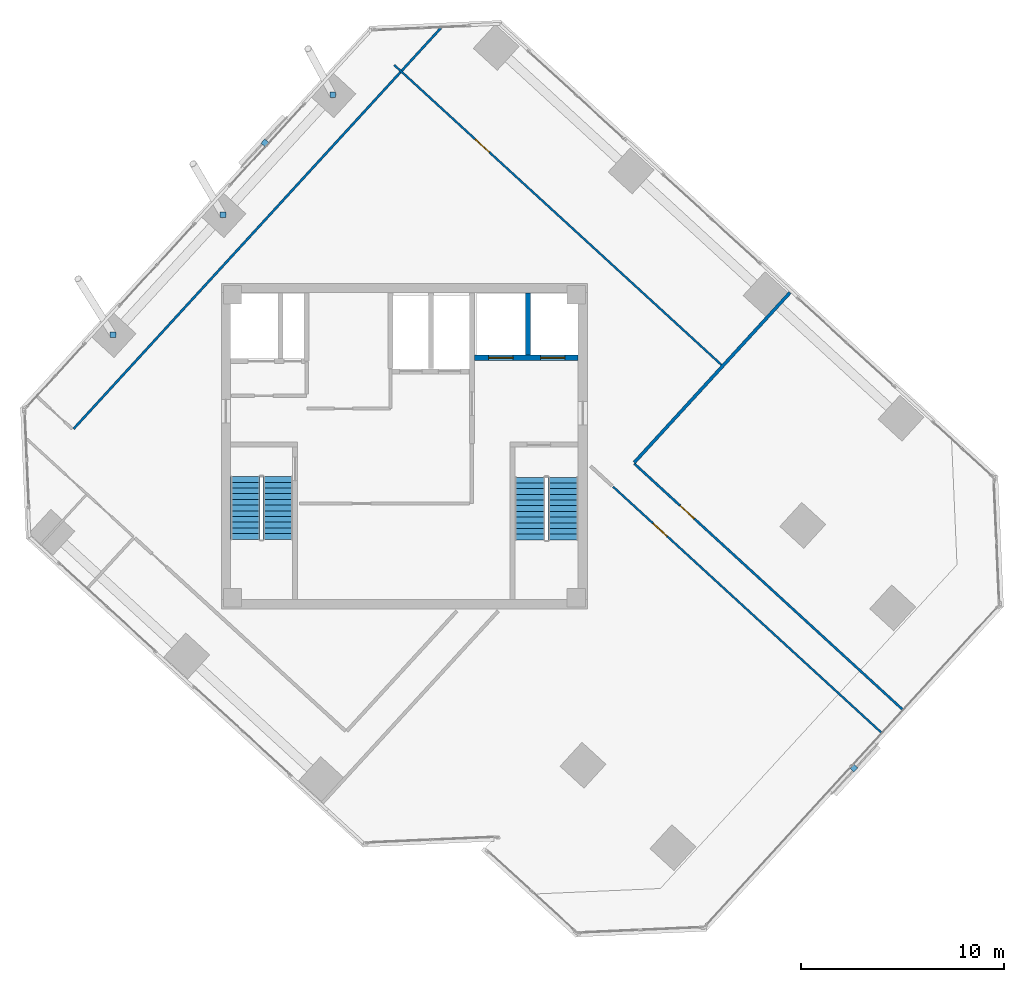
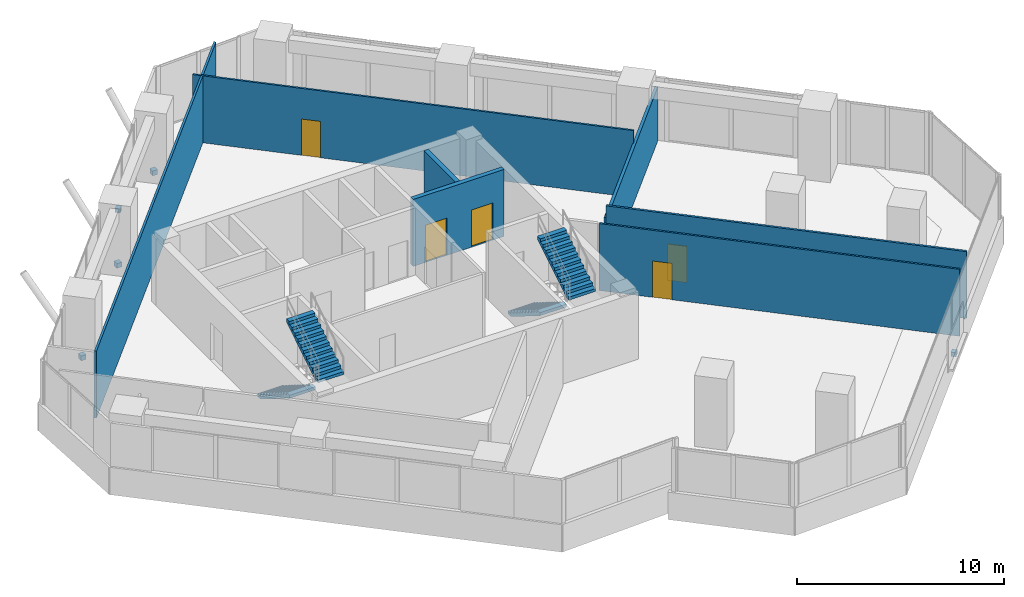
# One storey, part 14 of 18: 7 walls, 5 discrete accessories, 5 doors, 4 stair flights, 5 openings, 2 elements without a shape of their own.
"""IFC4 building model written with IfcOpenShell, lengths in metres."""

from ifc_helpers import new_model, si_unit, direction, frame, frame_2d, origin, origin_2d, place, context, subcontext, project, spatial, polyline, rectangle, outline, extrude, source, transform, mapped, material, layer, layer_set, type_object, element, fill, aggregate, save


model = new_model("IFC4")

# Units and contexts
model_context = context("Model", 3, precision=1e-05, world=origin(), true_north=direction((0.0, 1.0)))
body_context = subcontext(model_context, "Body", "Model", "MODEL_VIEW")
ifc_project = project(units=[si_unit("LENGTHUNIT", "METRE"), si_unit("AREAUNIT", "SQUARE_METRE"), si_unit("VOLUMEUNIT", "CUBIC_METRE"), si_unit("PLANEANGLEUNIT", "RADIAN"), si_unit("MASSUNIT", "GRAM", prefix="KILO")], contexts=[model_context])

# Site, building, storey
site_placement = place(None, origin())
site = spatial("IfcSite", under=ifc_project, at=site_placement, CompositionType="ELEMENT")
building_placement = place(site_placement, origin())
building = spatial("IfcBuilding", under=site, at=building_placement, Name="Torre Montelarca", CompositionType="ELEMENT")
storey_placement = place(building_placement, frame((0.0, 0.0, 237.39990234375)))
storey = spatial("IfcBuildingStorey", under=building, at=storey_placement, Name="L53", CompositionType="ELEMENT", Elevation=237.39990234375)

# Wall, openings, doors
ifc_material_1 = material(Name="Concrete C40/50", Category="concrete")
ifc_layer_1 = layer(ifc_material_1, 0.25, Name="Concrete C40/50", Category="concrete")
ifc_layer_set_1 = layer_set([ifc_layer_1], Name="Concrete C40/50")
wall_type_1 = type_object("IfcWallType", Name="CW-SHAFT-250", PredefinedType="SHEAR", material=ifc_layer_set_1)
wall_1_placement = place(storey_placement, frame((21.449951171875, 36.35009765625, 0.0), z_axis=(0.0, 0.0, 1.0), x_axis=(1.0, 0.0, 0.0)))
wall_1 = element("IfcWall", 1, at=wall_1_placement, inside=storey, type_object=wall_type_1, Name="L53 Core Shear Wall SH-FF-S", PredefinedType="SHEAR", context=body_context, shape_type="SweptSolid", body=[
    extrude(rectangle(XDim=5.090087890625, YDim=0.25, at=frame_2d((2.544921875, 0.0))), origin(), (0.0, 0.0, 1.0), 3.960205078125),
])
opening_1_placement = place(wall_1_placement, frame((0.699951171875, 0.0, 0.0)))
opening_1 = element("IfcOpeningElement", 2, at=opening_1_placement, cuts=wall_1, Name="Opening LD-120", PredefinedType="OPENING", context=body_context, shape_type="SweptSolid", body=[
    extrude(rectangle(XDim=1.199951171875, YDim=2.199951171875, at=frame_2d((0.60009765625, 1.10009765625))), frame((0.0, 0.135009765625, 0.0), z_axis=(0.0, -1.0, 0.0), x_axis=(1.0, 0.0, 0.0)), (0.0, 0.0, 1.0), 0.27001953125),
])
opening_2_placement = place(wall_1_placement, frame((3.25, 0.0, 0.0)))
opening_2 = element("IfcOpeningElement", 3, at=opening_2_placement, cuts=wall_1, Name="Opening LD-120", PredefinedType="OPENING", context=body_context, shape_type="SweptSolid", body=[
    extrude(rectangle(XDim=1.199951171875, YDim=2.199951171875, at=frame_2d((0.60009765625, 1.10009765625))), frame((0.0, 0.135009765625, 0.0), z_axis=(0.0, -1.0, 0.0), x_axis=(1.0, 0.0, 0.0)), (0.0, 0.0, 1.0), 0.27001953125),
])
ifc_material_2 = material(Name="Brushed stainless steel AISI 316", Category="steel")
door_type_1 = type_object("IfcDoorType", Name="DR-LIFT-120", OperationType="SLIDING_TO_RIGHT", PredefinedType="DOOR", material=ifc_material_2)
shared_shape_1 = source(origin(), body_context, "Body", "SweptSolid", [
    extrude(rectangle(XDim=1.199951171875, YDim=2.199951171875, at=frame_2d((0.60009765625, 1.10009765625))), frame((0.0, 0.02490234375, 0.0), z_axis=(0.0, -1.0, 0.0), x_axis=(1.0, 0.0, 0.0)), (0.0, 0.0, 1.0), 0.050048828125),
])
door_1_placement = place(opening_1_placement, origin())
door_1 = element("IfcDoor", 4, at=door_1_placement, inside=storey, type_object=door_type_1, Name="L53 Lift Landing Sliding Door FF-1", OperationType="SLIDING_TO_LEFT", OverallHeight=2.199951171875, OverallWidth=1.199951171875, PredefinedType="DOOR", context=body_context, shape_type="MappedRepresentation", body=[
    mapped(shared_shape_1, transform((0.0, 0.0, 0.0), scale=1.0)),
])
fill(opening_1, door_1)
door_2_placement = place(opening_2_placement, origin())
door_2 = element("IfcDoor", 5, at=door_2_placement, inside=storey, type_object=door_type_1, Name="L53 Lift Landing Sliding Door FF-2", OperationType="SLIDING_TO_RIGHT", OverallHeight=2.199951171875, OverallWidth=1.199951171875, PredefinedType="DOOR", context=body_context, shape_type="MappedRepresentation", body=[
    mapped(shared_shape_1, transform((0.0, 0.0, 0.0), scale=1.0)),
])
fill(opening_2, door_2)

# Walls
wall_2_placement = place(storey_placement, frame((24.080078125, 36.47998046875, 0.0), z_axis=(0.0, 0.0, 1.0), x_axis=(0.0, 1.0, 0.0)))
element("IfcWall", 6, at=wall_2_placement, inside=storey, type_object=wall_type_1, Name="L53 Core Shear Wall SH-FF-M", PredefinedType="SHEAR", context=body_context, shape_type="SweptSolid", body=[
    extrude(rectangle(XDim=3.06005859375, YDim=0.25, at=frame_2d((1.530029296875, 0.0))), origin(), (0.0, 0.0, 1.0), 3.960205078125),
])
ifc_material_3 = material(Name="Gypsum plasterboard on steel stud", Category="steel")
ifc_layer_2 = layer(ifc_material_3, 0.159912109375, Name="Gypsum plasterboard on steel stud", Category="steel")
ifc_layer_set_2 = layer_set([ifc_layer_2], Name="Gypsum plasterboard on steel stud")
wall_type_2 = type_object("IfcWallType", Name="PW-FIRE-160", PredefinedType="PARTITIONING", material=ifc_layer_set_2)
wall_3_placement = place(storey_placement, frame((29.306640625, 31.194091796875, 0.0), z_axis=(0.0, 0.0, 1.0), x_axis=(0.67558228032, 0.73728460076, 0.0)))
element("IfcWall", 7, at=wall_3_placement, inside=storey, type_object=wall_type_2, Name="L53 Interior Partition W-L53-ECN", PredefinedType="PARTITIONING", context=body_context, shape_type="SweptSolid", body=[
    extrude(rectangle(XDim=11.340087890625, YDim=0.159912109375, at=frame_2d((5.669921875, 0.0))), origin(), (0.0, 0.0, 1.0), 3.195068359375),
])

# Wall, opening, door
ifc_material_4 = material(Name="Acoustic laminated glass partition", Category="glass")
ifc_layer_3 = layer(ifc_material_4, 0.10009765625, Name="Acoustic laminated glass partition", Category="glass")
ifc_layer_set_3 = layer_set([ifc_layer_3], Name="Acoustic laminated glass partition")
wall_type_3 = type_object("IfcWallType", Name="PW-GLAZ-100", PredefinedType="PARTITIONING", material=ifc_layer_set_3)
wall_4_placement = place(storey_placement, frame((17.503662109375, 50.744384765625, 0.0), z_axis=(0.0, 0.0, 1.0), x_axis=(0.737277850523, -0.675589646996, 0.0)))
wall_4 = element("IfcWall", 8, at=wall_4_placement, inside=storey, type_object=wall_type_3, Name="L53 Interior Partition W-L53-NBOT", PredefinedType="PARTITIONING", context=body_context, shape_type="SweptSolid", body=[
    extrude(rectangle(XDim=21.8701171875, YDim=0.10009765625, at=frame_2d((10.93505859375, 0.0))), origin(), (0.0, 0.0, 1.0), 3.960205078125),
])
opening_3_placement = place(wall_4_placement, frame((5.39990234375, 0.0, 0.0)))
opening_3 = element("IfcOpeningElement", 9, at=opening_3_placement, cuts=wall_4, Name="Opening ID-095", PredefinedType="OPENING", context=body_context, shape_type="SweptSolid", body=[
    extrude(rectangle(XDim=0.949951171875, YDim=2.14990234375, at=frame_2d((0.47509765625, 1.074951171875))), frame((0.0, 0.06005859375, 0.0), z_axis=(0.0, -1.0, 0.0), x_axis=(1.0, 0.0, 0.0)), (0.0, 0.0, 1.0), 0.1201171875),
])
ifc_material_5 = material(Name="Hardwood acoustic timber veneer", Category="wood")
door_type_2 = type_object("IfcDoorType", Name="DR-INT-095", OperationType="NOTDEFINED", PredefinedType="DOOR", material=ifc_material_5)
shared_shape_2 = source(origin(), body_context, "Body", "SweptSolid", [
    extrude(rectangle(XDim=0.949951171875, YDim=2.14990234375, at=frame_2d((0.47509765625, 1.074951171875))), frame((0.0, 0.02490234375, 0.0), z_axis=(0.0, -1.0, 0.0), x_axis=(1.0, 0.0, 0.0)), (0.0, 0.0, 1.0), 0.050048828125),
])
door_3_placement = place(opening_3_placement, origin())
door_3 = element("IfcDoor", 10, at=door_3_placement, inside=storey, type_object=door_type_2, Name="L53 Interior Door 07", OperationType="SINGLE_SWING_LEFT", OverallHeight=2.14990234375, OverallWidth=0.949951171875, PredefinedType="DOOR", context=body_context, shape_type="MappedRepresentation", body=[
    mapped(shared_shape_2, transform((0.0, 0.0, 0.0), scale=1.0)),
])
fill(opening_3, door_3)

wall_5_placement = place(storey_placement, frame((28.268798828125, 30.002197265625, 0.0), z_axis=(0.0, 0.0, 1.0), x_axis=(0.737272587758, -0.67559539026, 0.0)))
wall_5 = element("IfcWall", 11, at=wall_5_placement, inside=storey, type_object=wall_type_3, Name="L53 Interior Partition W-L53-SE-N", PredefinedType="PARTITIONING", context=body_context, shape_type="SweptSolid", body=[
    extrude(rectangle(XDim=17.8798828125, YDim=0.10009765625, at=frame_2d((8.93994140625, 0.0))), origin(), (0.0, 0.0, 1.0), 3.960205078125),
])
opening_4_placement = place(wall_5_placement, frame((2.64990234375, 0.0, 0.0)))
opening_4 = element("IfcOpeningElement", 12, at=opening_4_placement, cuts=wall_5, Name="Opening ID-095", PredefinedType="OPENING", context=body_context, shape_type="SweptSolid", body=[
    extrude(rectangle(XDim=0.949951171875, YDim=2.14990234375, at=frame_2d((0.47509765625, 1.074951171875))), frame((0.0, 0.06005859375, 0.0), z_axis=(0.0, -1.0, 0.0), x_axis=(1.0, 0.0, 0.0)), (0.0, 0.0, 1.0), 0.1201171875),
])
door_4_placement = place(opening_4_placement, origin())
door_4 = element("IfcDoor", 13, at=door_4_placement, inside=storey, type_object=door_type_2, Name="L53 Interior Door 10", OperationType="SINGLE_SWING_LEFT", OverallHeight=2.14990234375, OverallWidth=0.949951171875, PredefinedType="DOOR", context=body_context, shape_type="MappedRepresentation", body=[
    mapped(shared_shape_2, transform((0.0, 0.0, 0.0), scale=1.0)),
])
fill(opening_4, door_4)

# Wall
ifc_layer_4 = layer(ifc_material_3, 0.114990234375, Name="Gypsum plasterboard on steel stud", Category="steel")
ifc_layer_set_4 = layer_set([ifc_layer_4], Name="Gypsum plasterboard on steel stud")
wall_type_4 = type_object("IfcWallType", Name="PW-PART-115", PredefinedType="PARTITIONING", material=ifc_layer_set_4)
wall_6_placement = place(storey_placement, frame((1.72998046875, 32.849609375, 0.0), z_axis=(0.0, 0.0, 1.0), x_axis=(0.675589845589, 0.737277668546, 0.0)))
element("IfcWall", 14, at=wall_6_placement, inside=storey, type_object=wall_type_4, Name="L53 Interior Partition W-L53-WPKE", PredefinedType="PARTITIONING", context=body_context, shape_type="SweptSolid", body=[
    extrude(rectangle(XDim=26.741943359375, YDim=0.114990234375, at=frame_2d((13.37109375, 0.0))), origin(), (0.0, 0.0, 1.0), 3.960205078125),
])

# Wall, opening, door
wall_7_placement = place(storey_placement, frame((29.30908203125, 31.1376953125, 0.0), z_axis=(0.0, 0.0, 1.0), x_axis=(0.737278819957, -0.675588589041, 0.0)))
wall_7 = element("IfcWall", 15, at=wall_7_placement, inside=storey, type_object=wall_type_4, Name="L53 Interior Partition W-L53-NE-S", PredefinedType="PARTITIONING", context=body_context, shape_type="SweptSolid", body=[
    extrude(rectangle(XDim=17.880126953125, YDim=0.114990234375, at=frame_2d((8.93994140625, 0.0))), origin(), (0.0, 0.0, 1.0), 3.960205078125),
])
opening_5_placement = place(wall_7_placement, frame((3.050048828125, 0.0, 0.0)))
opening_5 = element("IfcOpeningElement", 16, at=opening_5_placement, cuts=wall_7, Name="Opening ID-095", PredefinedType="OPENING", context=body_context, shape_type="SweptSolid", body=[
    extrude(rectangle(XDim=0.949951171875, YDim=2.14990234375, at=frame_2d((0.47509765625, 1.074951171875))), frame((0.0, 0.0673828125, 0.0), z_axis=(0.0, -1.0, 0.0), x_axis=(1.0, 0.0, 0.0)), (0.0, 0.0, 1.0), 0.135009765625),
])
door_5_placement = place(opening_5_placement, origin())
door_5 = element("IfcDoor", 17, at=door_5_placement, inside=storey, type_object=door_type_2, Name="L53 Interior Door 09", OperationType="SINGLE_SWING_LEFT", OverallHeight=2.14990234375, OverallWidth=0.949951171875, PredefinedType="DOOR", context=body_context, shape_type="MappedRepresentation", body=[
    mapped(shared_shape_2, transform((0.0, 0.0, 0.0), scale=1.0)),
])
fill(opening_5, door_5)

# Stair, stair flights
stair_type_1 = type_object("IfcStairType", Name="ST-CORE-ST1", PredefinedType="HALF_TURN_STAIR", material=ifc_material_1)
stair_1_placement = place(storey_placement, origin())
stair_1 = element("IfcStair", 18, at=stair_1_placement, inside=storey, type_object=stair_type_1, Name="L53 Protected Exit Stair ST1", PredefinedType="HALF_TURN_STAIR")
stair_flight_type_1 = type_object("IfcStairFlightType", Name="SFL-CORE-ST1", PredefinedType="STRAIGHT", material=ifc_material_1)
stair_flight_1_placement = place(storey_placement, frame((10.175048828125, 30.5, 0.0), z_axis=(0.0, 0.0, 1.0), x_axis=(0.0, -1.0, 0.0)))
stair_flight_1 = element("IfcStairFlight", 19, at=stair_flight_1_placement, type_object=stair_flight_type_1, Name="ST1 flight 1", NumberOfRisers=12, NumberOfTreads=11, PredefinedType="STRAIGHT", RiserHeight=0.175, TreadLength=0.28, context=body_context, shape_type="SweptSolid", body=[
    extrude(outline(polyline([(0.0, 0.0), (0.0, 0.175048828125), (0.280029296875, 0.175048828125), (0.280029296875, 0.35009765625), (0.56005859375, 0.35009765625), (0.56005859375, 0.52490234375), (0.840087890625, 0.52490234375), (0.840087890625, 0.699951171875), (1.1201171875, 0.699951171875), (1.1201171875, 0.875), (1.39990234375, 0.875), (1.39990234375, 1.050048828125), (1.679931640625, 1.050048828125), (1.679931640625, 1.22509765625), (1.9599609375, 1.22509765625), (1.9599609375, 1.39990234375), (2.239990234375, 1.39990234375), (2.239990234375, 1.574951171875), (2.52001953125, 1.574951171875), (2.52001953125, 1.75), (2.800048828125, 1.75), (2.800048828125, 1.925048828125), (3.080078125, 1.925048828125), (3.080078125, 2.10009765625), (3.080078125, 1.748291015625), (0.28271484375, 0.0), (0.0, 0.0)])), frame((0.0, 0.72509765625, 0.0), z_axis=(0.0, -1.0, 0.0), x_axis=(1.0, 0.0, 0.0)), (0.0, 0.0, 1.0), 1.449951171875),
])
stair_flight_2_placement = place(storey_placement, frame((11.77490234375, 27.419921875, 2.10009765625), z_axis=(0.0, 0.0, 1.0), x_axis=(0.0, 1.0, 0.0)))
stair_flight_2 = element("IfcStairFlight", 20, at=stair_flight_2_placement, type_object=stair_flight_type_1, Name="ST1 flight 2", NumberOfRisers=12, NumberOfTreads=11, PredefinedType="STRAIGHT", RiserHeight=0.175, TreadLength=0.28, context=body_context, shape_type="SweptSolid", body=[
    extrude(outline(polyline([(0.0, 0.0), (0.0, 0.175048828125), (0.280029296875, 0.175048828125), (0.280029296875, 0.35009765625), (0.56005859375, 0.35009765625), (0.56005859375, 0.52490234375), (0.840087890625, 0.52490234375), (0.840087890625, 0.699951171875), (1.1201171875, 0.699951171875), (1.1201171875, 0.875), (1.39990234375, 0.875), (1.39990234375, 1.050048828125), (1.679931640625, 1.050048828125), (1.679931640625, 1.22509765625), (1.9599609375, 1.22509765625), (1.9599609375, 1.39990234375), (2.239990234375, 1.39990234375), (2.239990234375, 1.574951171875), (2.52001953125, 1.574951171875), (2.52001953125, 1.75), (2.800048828125, 1.75), (2.800048828125, 1.925048828125), (3.080078125, 1.925048828125), (3.080078125, 2.10009765625), (3.080078125, 1.748291015625), (0.28271484375, 0.0), (0.0, 0.0)])), frame((0.0, 0.72509765625, 0.0), z_axis=(0.0, -1.0, 0.0), x_axis=(1.0, 0.0, 0.0)), (0.0, 0.0, 1.0), 1.449951171875),
])
aggregate(stair_1, [stair_flight_1, stair_flight_2])

stair_type_2 = type_object("IfcStairType", Name="ST-CORE-ST2", PredefinedType="HALF_TURN_STAIR", material=ifc_material_1)
stair_2_placement = place(storey_placement, origin())
stair_2 = element("IfcStair", 21, at=stair_2_placement, inside=storey, type_object=stair_type_2, Name="L53 Protected Exit Stair ST2", PredefinedType="HALF_TURN_STAIR")
stair_flight_type_2 = type_object("IfcStairFlightType", Name="SFL-CORE-ST2", PredefinedType="STRAIGHT", material=ifc_material_1)
stair_flight_3_placement = place(storey_placement, frame((24.179931640625, 30.469970703125, 0.0), z_axis=(0.0, 0.0, 1.0), x_axis=(0.0, -1.0, 0.0)))
stair_flight_3 = element("IfcStairFlight", 22, at=stair_flight_3_placement, type_object=stair_flight_type_2, Name="ST2 flight 1", NumberOfRisers=12, NumberOfTreads=11, PredefinedType="STRAIGHT", RiserHeight=0.175, TreadLength=0.28, context=body_context, shape_type="SweptSolid", body=[
    extrude(outline(polyline([(0.0, 0.0), (0.0, 0.175048828125), (0.280029296875, 0.175048828125), (0.280029296875, 0.35009765625), (0.56005859375, 0.35009765625), (0.56005859375, 0.52490234375), (0.840087890625, 0.52490234375), (0.840087890625, 0.699951171875), (1.1201171875, 0.699951171875), (1.1201171875, 0.875), (1.39990234375, 0.875), (1.39990234375, 1.050048828125), (1.679931640625, 1.050048828125), (1.679931640625, 1.22509765625), (1.9599609375, 1.22509765625), (1.9599609375, 1.39990234375), (2.239990234375, 1.39990234375), (2.239990234375, 1.574951171875), (2.52001953125, 1.574951171875), (2.52001953125, 1.75), (2.800048828125, 1.75), (2.800048828125, 1.925048828125), (3.080078125, 1.925048828125), (3.080078125, 2.10009765625), (3.080078125, 1.748291015625), (0.28271484375, 0.0), (0.0, 0.0)])), frame((0.0, 0.739990234375, 0.0), z_axis=(0.0, -1.0, 0.0), x_axis=(1.0, 0.0, 0.0)), (0.0, 0.0, 1.0), 1.47998046875),
])
stair_flight_4_placement = place(storey_placement, frame((25.81005859375, 27.389892578125, 2.10009765625), z_axis=(0.0, 0.0, 1.0), x_axis=(0.0, 1.0, 0.0)))
stair_flight_4 = element("IfcStairFlight", 23, at=stair_flight_4_placement, type_object=stair_flight_type_2, Name="ST2 flight 2", NumberOfRisers=12, NumberOfTreads=11, PredefinedType="STRAIGHT", RiserHeight=0.175, TreadLength=0.28, context=body_context, shape_type="SweptSolid", body=[
    extrude(outline(polyline([(0.0, 0.0), (0.0, 0.175048828125), (0.280029296875, 0.175048828125), (0.280029296875, 0.35009765625), (0.56005859375, 0.35009765625), (0.56005859375, 0.52490234375), (0.840087890625, 0.52490234375), (0.840087890625, 0.699951171875), (1.1201171875, 0.699951171875), (1.1201171875, 0.875), (1.39990234375, 0.875), (1.39990234375, 1.050048828125), (1.679931640625, 1.050048828125), (1.679931640625, 1.22509765625), (1.9599609375, 1.22509765625), (1.9599609375, 1.39990234375), (2.239990234375, 1.39990234375), (2.239990234375, 1.574951171875), (2.52001953125, 1.574951171875), (2.52001953125, 1.75), (2.800048828125, 1.75), (2.800048828125, 1.925048828125), (3.080078125, 1.925048828125), (3.080078125, 2.10009765625), (3.080078125, 1.748291015625), (0.28271484375, 0.0), (0.0, 0.0)])), frame((0.0, 0.739990234375, 0.0), z_axis=(0.0, -1.0, 0.0), x_axis=(1.0, 0.0, 0.0)), (0.0, 0.0, 1.0), 1.47998046875),
])
aggregate(stair_2, [stair_flight_3, stair_flight_4])

# Discrete accessories
ifc_material_6 = material(Name="Stainless steel AISI 316", Category="steel")
discrete_accessory_type = type_object("IfcDiscreteAccessoryType", Name="ACC-BRACKET-SS", PredefinedType="BRACKET", material=ifc_material_6)
shared_shape_3 = source(origin(), body_context, "Body", "SweptSolid", [
    extrude(rectangle(XDim=0.280029296875, YDim=0.280029296875, at=origin_2d()), origin(), (0.0, 0.0, 1.0), 0.280029296875),
])
for number, where, z_axis, x_axis, name in (
    (24, (3.672119140625, 37.485595703125, 0.01025390625), (0.0, 0.0, 1.0), (1.0, 0.0, 0.0), "L54 Raker End Connection Bracket W1-FT"),
    (25, (9.076904296875, 43.3837890625, 0.01025390625), (0.0, 0.0, 1.0), (1.0, 0.0, 0.0), "L54 Raker End Connection Bracket W2-FT"),
    (26, (14.481689453125, 49.281982421875, 0.01025390625), (0.0, 0.0, 1.0), (1.0, 0.0, 0.0), "L54 Raker End Connection Bracket W3-FT"),
):
    element("IfcDiscreteAccessory", number, at=place(storey_placement, frame(where, z_axis=z_axis, x_axis=x_axis)), inside=storey, type_object=discrete_accessory_type, Name=name, PredefinedType="BRACKET", context=body_context, shape_type="MappedRepresentation", body=[
        mapped(shared_shape_3, transform((0.0, 0.0, 0.0), scale=1.0)),
    ])
shared_shape_4 = source(origin(), body_context, "Body", "SweptSolid", [
    extrude(rectangle(XDim=0.280029296875, YDim=0.260009765625, at=origin_2d()), origin(), (0.0, 0.0, 1.0), 0.239990234375),
])
for number, where, z_axis, x_axis, name in (
    (27, (40.1123046875, 16.16552734375, 0.39990234375), (0.0, 0.0, 1.0), (0.675594067982, 0.737273799418, 0.0), "L53 Solar Screen Support Bracket E6-1"),
    (28, (11.1376953125, 46.920654296875, 0.39990234375), (0.0, 0.0, 1.0), (-0.675588920823, -0.737278515936, 0.0), "L53 Solar Screen Support Bracket E10-1"),
):
    element("IfcDiscreteAccessory", number, at=place(storey_placement, frame(where, z_axis=z_axis, x_axis=x_axis)), inside=storey, type_object=discrete_accessory_type, Name=name, PredefinedType="BRACKET", context=body_context, shape_type="MappedRepresentation", body=[
        mapped(shared_shape_4, transform((0.0, 0.0, 0.0), scale=1.0)),
    ])

save(model, "model.ifc")
